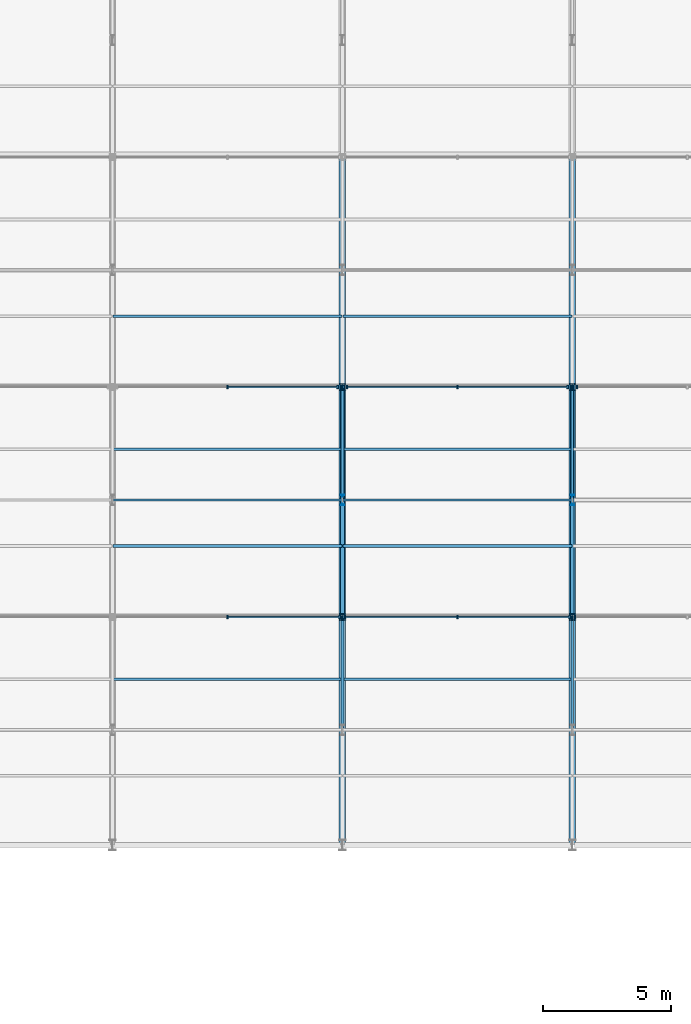
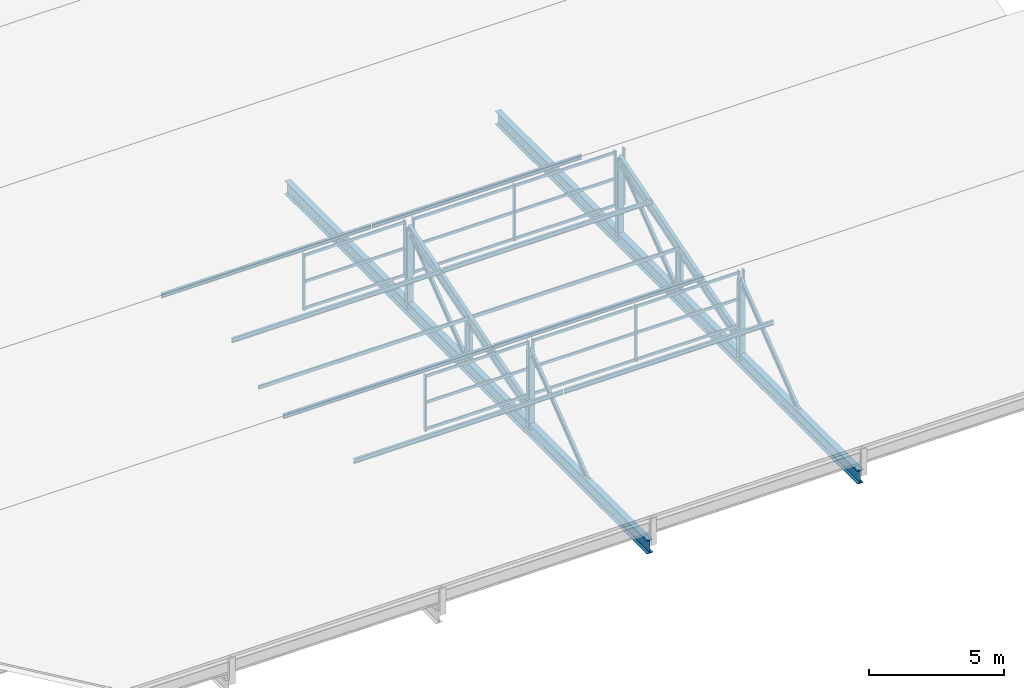
# One storey, part 68 of 163: 52 members, 2 beams, 6 elements without a shape of their own.
"""IFC4 building model written with IfcOpenShell, lengths in metres."""

from ifc_helpers import new_model, si_unit, direction, frame, origin, origin_2d, place, context, subcontext, project, spatial, rectangle, hollow_rectangle, i_section, extrude, material, material_profile, profile_set, type_object, element, aggregate, save


model = new_model("IFC4")

# Units and contexts
model_context = context("Model", 3, precision=1e-05, world=origin(), true_north=direction((0.0, 1.0)))
body_context = subcontext(model_context, "Body", "Model", "MODEL_VIEW")
ifc_project = project(units=[si_unit("LENGTHUNIT", "METRE"), si_unit("AREAUNIT", "SQUARE_METRE"), si_unit("VOLUMEUNIT", "CUBIC_METRE"), si_unit("PLANEANGLEUNIT", "RADIAN"), si_unit("MASSUNIT", "GRAM", prefix="KILO")], contexts=[model_context])

# Site, building, storey
site_placement = place(None, origin())
site = spatial("IfcSite", under=ifc_project, at=site_placement, CompositionType="ELEMENT")
building_placement = place(site_placement, origin())
building = spatial("IfcBuilding", under=site, at=building_placement, Name="Tharagai Park Tramway Depot", CompositionType="ELEMENT")
storey_placement = place(building_placement, frame((0.0, 0.0, 8.39990234375)))
storey = spatial("IfcBuildingStorey", under=building, at=storey_placement, Name="L02", CompositionType="ELEMENT", Elevation=8.39990234375)

# Beams
ifc_material_1 = material(Name="Steel E350", Category="steel")
ifc_material_profile_1 = material_profile(ifc_material_1, i_section(OverallWidth=0.25, OverallDepth=0.60009765625, WebThickness=0.01171875, FlangeThickness=0.023681640625, FilletRadius=0.01708984375, at=origin_2d()), Name="ISWB 600")
ifc_profile_set_1 = profile_set([ifc_material_profile_1], Name="Steel E350")
beam_type = type_object("IfcBeamType", Name="BM-01", PredefinedType="BEAM", material=ifc_profile_set_1)
for number, where, z_axis, x_axis, name in (
    (1, (117.0, 90.080078125, -0.25), (0.0, 1.0, 0.0), (-1.0, 0.0, 0.0), "Sawtooth Truss Bottom Tie Girder BM-01"),
    (2, (126.0, 90.080078125, -0.25), (0.0, 1.0, 0.0), (-1.0, 0.0, 0.0), "Sawtooth Truss Bottom Tie Girder BM-01"),
):
    element("IfcBeam", number, at=place(storey_placement, frame(where, z_axis=z_axis, x_axis=x_axis)), inside=storey, type_object=beam_type, Name=name, PredefinedType="BEAM", context=body_context, shape_type="SweptSolid", body=[
        extrude(i_section(OverallWidth=0.25, OverallDepth=0.60009765625, WebThickness=0.01171875, FlangeThickness=0.023681640625, FilletRadius=0.01708984375, at=origin_2d()), origin(), (0.0, 0.0, 1.0), 26.83984375),
    ])

# Members
ifc_material_profile_2 = material_profile(ifc_material_1, i_section(OverallWidth=0.25, OverallDepth=0.25, WebThickness=0.0087890625, FlangeThickness=0.009765625, FilletRadius=0.010009765625, at=origin_2d()), Name="ISHB 250")
ifc_profile_set_2 = profile_set([ifc_material_profile_2], Name="Steel E350")
member_type_1 = type_object("IfcMemberType", Name="BR-01", PredefinedType="BRACE", material=ifc_profile_set_2)
for number, where, z_axis, x_axis, name in (
    (3, (117.0, 98.919921875, -0.25), (0.0, 0.0, 1.0), (1.0, 0.0, 0.0), "Sawtooth North Vertical Post BR-01"),
    (4, (117.0, 107.919921875, -0.25), (0.0, 0.0, 1.0), (1.0, 0.0, 0.0), "Sawtooth North Vertical Post BR-01"),
    (5, (126.0, 98.919921875, -0.25), (0.0, 0.0, 1.0), (1.0, 0.0, 0.0), "Sawtooth North Vertical Post BR-01"),
    (6, (126.0, 107.919921875, -0.25), (0.0, 0.0, 1.0), (1.0, 0.0, 0.0), "Sawtooth North Vertical Post BR-01"),
):
    element("IfcMember", number, at=place(storey_placement, frame(where, z_axis=z_axis, x_axis=x_axis)), inside=storey, type_object=member_type_1, Name=name, PredefinedType="BRACE", context=body_context, shape_type="SweptSolid", body=[
        extrude(i_section(OverallWidth=0.25, OverallDepth=0.25, WebThickness=0.0087890625, FlangeThickness=0.009765625, FilletRadius=0.010009765625, at=origin_2d()), origin(), (0.0, 0.0, 1.0), 3.55517578125),
    ])
ifc_material_profile_3 = material_profile(ifc_material_1, i_section(OverallWidth=0.110107421875, OverallDepth=0.22509765625, WebThickness=0.006591796875, FlangeThickness=0.01171875, FilletRadius=0.011962890625, at=origin_2d()), Name="ISMB 225")
ifc_profile_set_3 = profile_set([ifc_material_profile_3], Name="Steel E350")
member_type_2 = type_object("IfcMemberType", Name="BR-04", PredefinedType="BRACE", material=ifc_profile_set_3)
for number, where, z_axis, x_axis, name in (
    (7, (117.0, 94.64990234375, 0.0), (0.0, 0.790781596, 0.612098413188), (-1.0, 0.0, 0.0), "Sawtooth Truss Web Diagonal BR-04"),
    (8, (117.0, 103.64990234375, 0.0), (0.0, 0.790781596, 0.612098413188), (-1.0, 0.0, 0.0), "Sawtooth Truss Web Diagonal BR-04"),
    (9, (126.0, 94.64990234375, 0.0), (0.0, 0.790781596, 0.612098413188), (-1.0, 0.0, 0.0), "Sawtooth Truss Web Diagonal BR-04"),
    (10, (126.0, 103.64990234375, 0.0), (0.0, 0.790781596, 0.612098413188), (-1.0, 0.0, 0.0), "Sawtooth Truss Web Diagonal BR-04"),
):
    element("IfcMember", number, at=place(storey_placement, frame(where, z_axis=z_axis, x_axis=x_axis)), inside=storey, type_object=member_type_2, Name=name, PredefinedType="BRACE", context=body_context, shape_type="SweptSolid", body=[
        extrude(i_section(OverallWidth=0.110107421875, OverallDepth=0.22509765625, WebThickness=0.006591796875, FlangeThickness=0.01171875, FilletRadius=0.011962890625, at=origin_2d()), origin(), (0.0, 0.0, 1.0), 5.399658203125),
    ])

# Curtain wall, members
ifc_material_2 = material(Name="Anodised aluminium", Category="aluminium")
curtain_wall_type_1 = type_object("IfcCurtainWallType", Name="CW-04", PredefinedType="NOTDEFINED", material=ifc_material_2)
curtain_wall_1_placement = place(storey_placement, origin())
curtain_wall_1 = element("IfcCurtainWall", 11, at=curtain_wall_1_placement, inside=storey, type_object=curtain_wall_type_1, Name="Sawtooth North-Light Clerestory CW-04", PredefinedType="NOTDEFINED")
ifc_material_profile_4 = material_profile(ifc_material_2, rectangle(XDim=0.06494140625, YDim=0.1201171875, at=origin_2d()), Name="ALU 65x120")
ifc_profile_set_4 = profile_set([ifc_material_profile_4], Name="Anodised aluminium")
member_type_3 = type_object("IfcMemberType", Name="CM-01", PredefinedType="USERDEFINED", material=ifc_profile_set_4)
member_1_placement = place(storey_placement, frame((112.514892578125, 98.919921875, 1.26513671875), z_axis=(1.0, 0.0, 0.0), x_axis=(0.0, 1.0, 0.0)))
member_1 = element("IfcMember", 12, at=member_1_placement, type_object=member_type_3, Name="Sawtooth North-Light Clerestory Transom 2.1", ObjectType="TRANSOM", PredefinedType="USERDEFINED", context=body_context, shape_type="SweptSolid", body=[
    extrude(rectangle(XDim=0.06494140625, YDim=0.1201171875, at=origin_2d()), origin(), (0.0, 0.0, 1.0), 4.3701171875),
])
member_2_placement = place(storey_placement, frame((112.514892578125, 98.919921875, 2.4736328125), z_axis=(1.0, 0.0, 0.0), x_axis=(0.0, 1.0, 0.0)))
member_2 = element("IfcMember", 13, at=member_2_placement, type_object=member_type_3, Name="Sawtooth North-Light Clerestory Transom 2.2", ObjectType="TRANSOM", PredefinedType="USERDEFINED", context=body_context, shape_type="SweptSolid", body=[
    extrude(rectangle(XDim=0.06494140625, YDim=0.1201171875, at=origin_2d()), origin(), (0.0, 0.0, 1.0), 4.3701171875),
])
member_3_placement = place(storey_placement, frame((112.514892578125, 98.919921875, 3.662353515625), z_axis=(1.0, 0.0, 0.0), x_axis=(0.0, 1.0, 0.0)))
member_3 = element("IfcMember", 14, at=member_3_placement, type_object=member_type_3, Name="Sawtooth North-Light Clerestory Transom 2.3", ObjectType="TRANSOM", PredefinedType="USERDEFINED", context=body_context, shape_type="SweptSolid", body=[
    extrude(rectangle(XDim=0.06494140625, YDim=0.1201171875, at=origin_2d()), origin(), (0.0, 0.0, 1.0), 4.3701171875),
])

curtain_wall_2_placement = place(storey_placement, origin())
curtain_wall_2 = element("IfcCurtainWall", 15, at=curtain_wall_2_placement, inside=storey, type_object=curtain_wall_type_1, Name="Sawtooth North-Light Clerestory CW-04", PredefinedType="NOTDEFINED")
member_4_placement = place(storey_placement, frame((117.114990234375, 98.919921875, 1.26513671875), z_axis=(1.0, 0.0, 0.0), x_axis=(0.0, 1.0, 0.0)))
member_4 = element("IfcMember", 16, at=member_4_placement, type_object=member_type_3, Name="Sawtooth North-Light Clerestory Transom 1.1", ObjectType="TRANSOM", PredefinedType="USERDEFINED", context=body_context, shape_type="SweptSolid", body=[
    extrude(rectangle(XDim=0.06494140625, YDim=0.1201171875, at=origin_2d()), origin(), (0.0, 0.0, 1.0), 4.3701171875),
])
member_5_placement = place(storey_placement, frame((117.114990234375, 98.919921875, 2.4736328125), z_axis=(1.0, 0.0, 0.0), x_axis=(0.0, 1.0, 0.0)))
member_5 = element("IfcMember", 17, at=member_5_placement, type_object=member_type_3, Name="Sawtooth North-Light Clerestory Transom 1.2", ObjectType="TRANSOM", PredefinedType="USERDEFINED", context=body_context, shape_type="SweptSolid", body=[
    extrude(rectangle(XDim=0.06494140625, YDim=0.1201171875, at=origin_2d()), origin(), (0.0, 0.0, 1.0), 4.3701171875),
])
member_6_placement = place(storey_placement, frame((117.114990234375, 98.919921875, 3.662353515625), z_axis=(1.0, 0.0, 0.0), x_axis=(0.0, 1.0, 0.0)))
member_6 = element("IfcMember", 18, at=member_6_placement, type_object=member_type_3, Name="Sawtooth North-Light Clerestory Transom 1.3", ObjectType="TRANSOM", PredefinedType="USERDEFINED", context=body_context, shape_type="SweptSolid", body=[
    extrude(rectangle(XDim=0.06494140625, YDim=0.1201171875, at=origin_2d()), origin(), (0.0, 0.0, 1.0), 4.3701171875),
])
member_7_placement = place(storey_placement, frame((121.514892578125, 98.919921875, 1.26513671875), z_axis=(1.0, 0.0, 0.0), x_axis=(0.0, 1.0, 0.0)))
member_7 = element("IfcMember", 19, at=member_7_placement, type_object=member_type_3, Name="Sawtooth North-Light Clerestory Transom 2.1", ObjectType="TRANSOM", PredefinedType="USERDEFINED", context=body_context, shape_type="SweptSolid", body=[
    extrude(rectangle(XDim=0.06494140625, YDim=0.1201171875, at=origin_2d()), origin(), (0.0, 0.0, 1.0), 4.3701171875),
])
member_8_placement = place(storey_placement, frame((121.514892578125, 98.919921875, 2.4736328125), z_axis=(1.0, 0.0, 0.0), x_axis=(0.0, 1.0, 0.0)))
member_8 = element("IfcMember", 20, at=member_8_placement, type_object=member_type_3, Name="Sawtooth North-Light Clerestory Transom 2.2", ObjectType="TRANSOM", PredefinedType="USERDEFINED", context=body_context, shape_type="SweptSolid", body=[
    extrude(rectangle(XDim=0.06494140625, YDim=0.1201171875, at=origin_2d()), origin(), (0.0, 0.0, 1.0), 4.3701171875),
])
member_9_placement = place(storey_placement, frame((121.514892578125, 98.919921875, 3.662353515625), z_axis=(1.0, 0.0, 0.0), x_axis=(0.0, 1.0, 0.0)))
member_9 = element("IfcMember", 21, at=member_9_placement, type_object=member_type_3, Name="Sawtooth North-Light Clerestory Transom 2.3", ObjectType="TRANSOM", PredefinedType="USERDEFINED", context=body_context, shape_type="SweptSolid", body=[
    extrude(rectangle(XDim=0.06494140625, YDim=0.1201171875, at=origin_2d()), origin(), (0.0, 0.0, 1.0), 4.3701171875),
])

curtain_wall_type_2 = type_object("IfcCurtainWallType", Name="CW-03", PredefinedType="NOTDEFINED", material=ifc_material_2)
curtain_wall_3_placement = place(storey_placement, origin())
curtain_wall_3 = element("IfcCurtainWall", 22, at=curtain_wall_3_placement, inside=storey, type_object=curtain_wall_type_2, Name="Sawtooth North-Light Clerestory CW-03", PredefinedType="NOTDEFINED")
member_10_placement = place(storey_placement, frame((112.514892578125, 107.919921875, 1.26513671875), z_axis=(1.0, 0.0, 0.0), x_axis=(0.0, 1.0, 0.0)))
member_10 = element("IfcMember", 23, at=member_10_placement, type_object=member_type_3, Name="Sawtooth North-Light Clerestory Transom 2.1", ObjectType="TRANSOM", PredefinedType="USERDEFINED", context=body_context, shape_type="SweptSolid", body=[
    extrude(rectangle(XDim=0.06494140625, YDim=0.1201171875, at=origin_2d()), origin(), (0.0, 0.0, 1.0), 4.2900390625),
])
member_11_placement = place(storey_placement, frame((112.514892578125, 107.919921875, 2.4736328125), z_axis=(1.0, 0.0, 0.0), x_axis=(0.0, 1.0, 0.0)))
member_11 = element("IfcMember", 24, at=member_11_placement, type_object=member_type_3, Name="Sawtooth North-Light Clerestory Transom 2.2", ObjectType="TRANSOM", PredefinedType="USERDEFINED", context=body_context, shape_type="SweptSolid", body=[
    extrude(rectangle(XDim=0.06494140625, YDim=0.1201171875, at=origin_2d()), origin(), (0.0, 0.0, 1.0), 4.2900390625),
])
member_12_placement = place(storey_placement, frame((112.514892578125, 107.919921875, 3.662353515625), z_axis=(1.0, 0.0, 0.0), x_axis=(0.0, 1.0, 0.0)))
member_12 = element("IfcMember", 25, at=member_12_placement, type_object=member_type_3, Name="Sawtooth North-Light Clerestory Transom 2.3", ObjectType="TRANSOM", PredefinedType="USERDEFINED", context=body_context, shape_type="SweptSolid", body=[
    extrude(rectangle(XDim=0.06494140625, YDim=0.1201171875, at=origin_2d()), origin(), (0.0, 0.0, 1.0), 4.2900390625),
])

curtain_wall_4_placement = place(storey_placement, origin())
curtain_wall_4 = element("IfcCurtainWall", 26, at=curtain_wall_4_placement, inside=storey, type_object=curtain_wall_type_2, Name="Sawtooth North-Light Clerestory CW-03", PredefinedType="NOTDEFINED")
member_13_placement = place(storey_placement, frame((117.195068359375, 107.919921875, 1.26513671875), z_axis=(1.0, 0.0, 0.0), x_axis=(0.0, 1.0, 0.0)))
member_13 = element("IfcMember", 27, at=member_13_placement, type_object=member_type_3, Name="Sawtooth North-Light Clerestory Transom 1.1", ObjectType="TRANSOM", PredefinedType="USERDEFINED", context=body_context, shape_type="SweptSolid", body=[
    extrude(rectangle(XDim=0.06494140625, YDim=0.1201171875, at=origin_2d()), origin(), (0.0, 0.0, 1.0), 4.2900390625),
])
member_14_placement = place(storey_placement, frame((117.195068359375, 107.919921875, 2.4736328125), z_axis=(1.0, 0.0, 0.0), x_axis=(0.0, 1.0, 0.0)))
member_14 = element("IfcMember", 28, at=member_14_placement, type_object=member_type_3, Name="Sawtooth North-Light Clerestory Transom 1.2", ObjectType="TRANSOM", PredefinedType="USERDEFINED", context=body_context, shape_type="SweptSolid", body=[
    extrude(rectangle(XDim=0.06494140625, YDim=0.1201171875, at=origin_2d()), origin(), (0.0, 0.0, 1.0), 4.2900390625),
])
member_15_placement = place(storey_placement, frame((117.195068359375, 107.919921875, 3.662353515625), z_axis=(1.0, 0.0, 0.0), x_axis=(0.0, 1.0, 0.0)))
member_15 = element("IfcMember", 29, at=member_15_placement, type_object=member_type_3, Name="Sawtooth North-Light Clerestory Transom 1.3", ObjectType="TRANSOM", PredefinedType="USERDEFINED", context=body_context, shape_type="SweptSolid", body=[
    extrude(rectangle(XDim=0.06494140625, YDim=0.1201171875, at=origin_2d()), origin(), (0.0, 0.0, 1.0), 4.2900390625),
])
member_16_placement = place(storey_placement, frame((121.514892578125, 107.919921875, 1.26513671875), z_axis=(1.0, 0.0, 0.0), x_axis=(0.0, 1.0, 0.0)))
member_16 = element("IfcMember", 30, at=member_16_placement, type_object=member_type_3, Name="Sawtooth North-Light Clerestory Transom 2.1", ObjectType="TRANSOM", PredefinedType="USERDEFINED", context=body_context, shape_type="SweptSolid", body=[
    extrude(rectangle(XDim=0.06494140625, YDim=0.1201171875, at=origin_2d()), origin(), (0.0, 0.0, 1.0), 4.2900390625),
])
member_17_placement = place(storey_placement, frame((121.514892578125, 107.919921875, 2.4736328125), z_axis=(1.0, 0.0, 0.0), x_axis=(0.0, 1.0, 0.0)))
member_17 = element("IfcMember", 31, at=member_17_placement, type_object=member_type_3, Name="Sawtooth North-Light Clerestory Transom 2.2", ObjectType="TRANSOM", PredefinedType="USERDEFINED", context=body_context, shape_type="SweptSolid", body=[
    extrude(rectangle(XDim=0.06494140625, YDim=0.1201171875, at=origin_2d()), origin(), (0.0, 0.0, 1.0), 4.2900390625),
])
member_18_placement = place(storey_placement, frame((121.514892578125, 107.919921875, 3.662353515625), z_axis=(1.0, 0.0, 0.0), x_axis=(0.0, 1.0, 0.0)))
member_18 = element("IfcMember", 32, at=member_18_placement, type_object=member_type_3, Name="Sawtooth North-Light Clerestory Transom 2.3", ObjectType="TRANSOM", PredefinedType="USERDEFINED", context=body_context, shape_type="SweptSolid", body=[
    extrude(rectangle(XDim=0.06494140625, YDim=0.1201171875, at=origin_2d()), origin(), (0.0, 0.0, 1.0), 4.2900390625),
])

# Member
ifc_material_profile_5 = material_profile(ifc_material_2, rectangle(XDim=0.06494140625, YDim=0.14990234375, at=origin_2d()), Name="ALU 65x150")
ifc_profile_set_5 = profile_set([ifc_material_profile_5], Name="Anodised aluminium")
member_type_4 = type_object("IfcMemberType", Name="CM-03", PredefinedType="MULLION", material=ifc_profile_set_5)
member_19_placement = place(storey_placement, frame((112.5, 98.919921875, 1.2001953125), z_axis=(0.0, 0.0, 1.0), x_axis=(1.0, 0.0, 0.0)))
member_19 = element("IfcMember", 33, at=member_19_placement, type_object=member_type_4, Name="Sawtooth North-Light Clerestory Mullion 2", PredefinedType="MULLION", context=body_context, shape_type="SweptSolid", body=[
    extrude(rectangle(XDim=0.06494140625, YDim=0.14990234375, at=origin_2d()), origin(), (0.0, 0.0, 1.0), 2.547119140625),
])

member_20_placement = place(storey_placement, frame((116.89990234375, 98.919921875, 1.2001953125), z_axis=(0.0, 0.0, 1.0), x_axis=(1.0, 0.0, 0.0)))
member_20 = element("IfcMember", 34, at=member_20_placement, type_object=member_type_4, Name="Sawtooth North-Light Clerestory Mullion 3", PredefinedType="MULLION", context=body_context, shape_type="SweptSolid", body=[
    extrude(rectangle(XDim=0.06494140625, YDim=0.14990234375, at=origin_2d()), origin(), (0.0, 0.0, 1.0), 2.547119140625),
])

aggregate(curtain_wall_1, [member_19, member_20, member_1, member_2, member_3])

member_21_placement = place(storey_placement, frame((117.10009765625, 98.919921875, 1.2001953125), z_axis=(0.0, 0.0, 1.0), x_axis=(1.0, 0.0, 0.0)))
member_21 = element("IfcMember", 35, at=member_21_placement, type_object=member_type_4, Name="Sawtooth North-Light Clerestory Mullion 1", PredefinedType="MULLION", context=body_context, shape_type="SweptSolid", body=[
    extrude(rectangle(XDim=0.06494140625, YDim=0.14990234375, at=origin_2d()), origin(), (0.0, 0.0, 1.0), 2.547119140625),
])

member_22_placement = place(storey_placement, frame((121.5, 98.919921875, 1.2001953125), z_axis=(0.0, 0.0, 1.0), x_axis=(1.0, 0.0, 0.0)))
member_22 = element("IfcMember", 36, at=member_22_placement, type_object=member_type_4, Name="Sawtooth North-Light Clerestory Mullion 2", PredefinedType="MULLION", context=body_context, shape_type="SweptSolid", body=[
    extrude(rectangle(XDim=0.06494140625, YDim=0.14990234375, at=origin_2d()), origin(), (0.0, 0.0, 1.0), 2.547119140625),
])

member_23_placement = place(storey_placement, frame((125.89990234375, 98.919921875, 1.2001953125), z_axis=(0.0, 0.0, 1.0), x_axis=(1.0, 0.0, 0.0)))
member_23 = element("IfcMember", 37, at=member_23_placement, type_object=member_type_4, Name="Sawtooth North-Light Clerestory Mullion 3", PredefinedType="MULLION", context=body_context, shape_type="SweptSolid", body=[
    extrude(rectangle(XDim=0.06494140625, YDim=0.14990234375, at=origin_2d()), origin(), (0.0, 0.0, 1.0), 2.547119140625),
])

aggregate(curtain_wall_2, [member_21, member_22, member_23, member_4, member_5, member_6, member_7, member_8, member_9])

# Curtain wall, member
curtain_wall_5_placement = place(storey_placement, origin())
curtain_wall_5 = element("IfcCurtainWall", 38, at=curtain_wall_5_placement, inside=storey, type_object=curtain_wall_type_1, Name="Sawtooth North-Light Clerestory CW-04", PredefinedType="NOTDEFINED")
member_24_placement = place(storey_placement, frame((126.10009765625, 98.919921875, 1.2001953125), z_axis=(0.0, 0.0, 1.0), x_axis=(1.0, 0.0, 0.0)))
member_24 = element("IfcMember", 39, at=member_24_placement, type_object=member_type_4, Name="Sawtooth North-Light Clerestory Mullion 1", PredefinedType="MULLION", context=body_context, shape_type="SweptSolid", body=[
    extrude(rectangle(XDim=0.06494140625, YDim=0.14990234375, at=origin_2d()), origin(), (0.0, 0.0, 1.0), 2.547119140625),
])
aggregate(curtain_wall_5, [member_24])

# Member
member_25_placement = place(storey_placement, frame((112.5, 107.919921875, 1.2001953125), z_axis=(0.0, 0.0, 1.0), x_axis=(1.0, 0.0, 0.0)))
member_25 = element("IfcMember", 40, at=member_25_placement, type_object=member_type_4, Name="Sawtooth North-Light Clerestory Mullion 2", PredefinedType="MULLION", context=body_context, shape_type="SweptSolid", body=[
    extrude(rectangle(XDim=0.06494140625, YDim=0.14990234375, at=origin_2d()), origin(), (0.0, 0.0, 1.0), 2.547119140625),
])

member_26_placement = place(storey_placement, frame((116.820068359375, 107.919921875, 1.2001953125), z_axis=(0.0, 0.0, 1.0), x_axis=(1.0, 0.0, 0.0)))
member_26 = element("IfcMember", 41, at=member_26_placement, type_object=member_type_4, Name="Sawtooth North-Light Clerestory Mullion 3", PredefinedType="MULLION", context=body_context, shape_type="SweptSolid", body=[
    extrude(rectangle(XDim=0.06494140625, YDim=0.14990234375, at=origin_2d()), origin(), (0.0, 0.0, 1.0), 2.547119140625),
])

aggregate(curtain_wall_3, [member_25, member_26, member_10, member_11, member_12])

member_27_placement = place(storey_placement, frame((117.179931640625, 107.919921875, 1.2001953125), z_axis=(0.0, 0.0, 1.0), x_axis=(1.0, 0.0, 0.0)))
member_27 = element("IfcMember", 42, at=member_27_placement, type_object=member_type_4, Name="Sawtooth North-Light Clerestory Mullion 1", PredefinedType="MULLION", context=body_context, shape_type="SweptSolid", body=[
    extrude(rectangle(XDim=0.06494140625, YDim=0.14990234375, at=origin_2d()), origin(), (0.0, 0.0, 1.0), 2.547119140625),
])

member_28_placement = place(storey_placement, frame((121.5, 107.919921875, 1.2001953125), z_axis=(0.0, 0.0, 1.0), x_axis=(1.0, 0.0, 0.0)))
member_28 = element("IfcMember", 43, at=member_28_placement, type_object=member_type_4, Name="Sawtooth North-Light Clerestory Mullion 2", PredefinedType="MULLION", context=body_context, shape_type="SweptSolid", body=[
    extrude(rectangle(XDim=0.06494140625, YDim=0.14990234375, at=origin_2d()), origin(), (0.0, 0.0, 1.0), 2.547119140625),
])

member_29_placement = place(storey_placement, frame((125.820068359375, 107.919921875, 1.2001953125), z_axis=(0.0, 0.0, 1.0), x_axis=(1.0, 0.0, 0.0)))
member_29 = element("IfcMember", 44, at=member_29_placement, type_object=member_type_4, Name="Sawtooth North-Light Clerestory Mullion 3", PredefinedType="MULLION", context=body_context, shape_type="SweptSolid", body=[
    extrude(rectangle(XDim=0.06494140625, YDim=0.14990234375, at=origin_2d()), origin(), (0.0, 0.0, 1.0), 2.547119140625),
])

aggregate(curtain_wall_4, [member_27, member_28, member_29, member_13, member_14, member_15, member_16, member_17, member_18])

# Curtain wall, member
curtain_wall_6_placement = place(storey_placement, origin())
curtain_wall_6 = element("IfcCurtainWall", 45, at=curtain_wall_6_placement, inside=storey, type_object=curtain_wall_type_2, Name="Sawtooth North-Light Clerestory CW-03", PredefinedType="NOTDEFINED")
member_30_placement = place(storey_placement, frame((126.179931640625, 107.919921875, 1.2001953125), z_axis=(0.0, 0.0, 1.0), x_axis=(1.0, 0.0, 0.0)))
member_30 = element("IfcMember", 46, at=member_30_placement, type_object=member_type_4, Name="Sawtooth North-Light Clerestory Mullion 1", PredefinedType="MULLION", context=body_context, shape_type="SweptSolid", body=[
    extrude(rectangle(XDim=0.06494140625, YDim=0.14990234375, at=origin_2d()), origin(), (0.0, 0.0, 1.0), 2.547119140625),
])
aggregate(curtain_wall_6, [member_30])

# Members
ifc_material_3 = material(Name="Steel E250", Category="steel")
ifc_material_profile_6 = material_profile(ifc_material_3, hollow_rectangle(XDim=0.080078125, YDim=0.159912109375, WallThickness=0.0048828125, InnerFilletRadius=0.0048828125, OuterFilletRadius=0.010009765625, at=origin_2d()), Name="RHS 160x80x5")
ifc_profile_set_6 = profile_set([ifc_material_profile_6], Name="Steel E250")
member_type_5 = type_object("IfcMemberType", Name="PR-02", PredefinedType="PURLIN", material=ifc_profile_set_6)
for number, where, z_axis, x_axis, name in (
    (47, (108.02001953125, 103.5, 1.946533203125), (1.0, 0.0, 0.0), (0.0, 1.0, 0.0), "Sawtooth Tubular Tie Strut PR-02"),
    (48, (117.02001953125, 103.5, 1.946533203125), (1.0, 0.0, 0.0), (0.0, 1.0, 0.0), "Sawtooth Tubular Tie Strut PR-02"),
):
    element("IfcMember", number, at=place(storey_placement, frame(where, z_axis=z_axis, x_axis=x_axis)), inside=storey, type_object=member_type_5, Name=name, PredefinedType="PURLIN", context=body_context, shape_type="SweptSolid", body=[
        extrude(hollow_rectangle(XDim=0.080078125, YDim=0.159912109375, WallThickness=0.0048828125, InnerFilletRadius=0.0048828125, OuterFilletRadius=0.010009765625, at=origin_2d()), origin(), (0.0, 0.0, 1.0), 8.9599609375),
    ])
ifc_material_profile_7 = material_profile(ifc_material_3, i_section(OverallWidth=0.10009765625, OverallDepth=0.199951171875, WebThickness=0.00537109375, FlangeThickness=0.00732421875, FilletRadius=0.009033203125, at=origin_2d()), Name="ISLB 200")
ifc_profile_set_7 = profile_set([ifc_material_profile_7], Name="Steel E250")
member_type_6 = type_object("IfcMemberType", Name="PR-03", PredefinedType="PURLIN", material=ifc_profile_set_7)
for number, where, z_axis, x_axis, name in (
    (49, (108.02001953125, 101.699951171875, 1.733154296875), (1.0, 0.0, 0.0), (0.0, 1.0, 0.0), "Sawtooth Roof Purlin PR-03"),
    (50, (108.02001953125, 105.47998046875, 2.87451171875), (1.0, 0.0, 0.0), (0.0, 1.0, 0.0), "Sawtooth Roof Purlin PR-03"),
    (51, (117.02001953125, 101.699951171875, 1.733154296875), (1.0, 0.0, 0.0), (0.0, 1.0, 0.0), "Sawtooth Roof Purlin PR-03"),
    (52, (117.02001953125, 105.47998046875, 2.87451171875), (1.0, 0.0, 0.0), (0.0, 1.0, 0.0), "Sawtooth Roof Purlin PR-03"),
):
    element("IfcMember", number, at=place(storey_placement, frame(where, z_axis=z_axis, x_axis=x_axis)), inside=storey, type_object=member_type_6, Name=name, PredefinedType="PURLIN", context=body_context, shape_type="SweptSolid", body=[
        extrude(i_section(OverallWidth=0.10009765625, OverallDepth=0.199951171875, WebThickness=0.00537109375, FlangeThickness=0.00732421875, FilletRadius=0.009033203125, at=origin_2d()), origin(), (0.0, 0.0, 1.0), 8.9599609375),
    ])
ifc_material_profile_8 = material_profile(ifc_material_3, i_section(OverallWidth=0.10009765625, OverallDepth=0.199951171875, WebThickness=0.005615234375, FlangeThickness=0.0107421875, FilletRadius=0.010986328125, at=origin_2d()), Name="ISMB 200")
ifc_profile_set_8 = profile_set([ifc_material_profile_8], Name="Steel E250")
member_type_7 = type_object("IfcMemberType", Name="PR-04", PredefinedType="PURLIN", material=ifc_profile_set_8)
for number, where, z_axis, x_axis, name in (
    (53, (108.02001953125, 96.47998046875, 2.87451171875), (1.0, 0.0, 0.0), (0.0, 1.0, 0.0), "Sawtooth Roof Purlin PR-04"),
    (54, (108.02001953125, 110.699951171875, 1.733154296875), (1.0, 0.0, 0.0), (0.0, 1.0, 0.0), "Sawtooth Roof Purlin PR-04"),
    (55, (117.02001953125, 96.47998046875, 2.87451171875), (1.0, 0.0, 0.0), (0.0, 1.0, 0.0), "Sawtooth Roof Purlin PR-04"),
    (56, (117.02001953125, 110.699951171875, 1.733154296875), (1.0, 0.0, 0.0), (0.0, 1.0, 0.0), "Sawtooth Roof Purlin PR-04"),
):
    element("IfcMember", number, at=place(storey_placement, frame(where, z_axis=z_axis, x_axis=x_axis)), inside=storey, type_object=member_type_7, Name=name, PredefinedType="PURLIN", context=body_context, shape_type="SweptSolid", body=[
        extrude(i_section(OverallWidth=0.10009765625, OverallDepth=0.199951171875, WebThickness=0.005615234375, FlangeThickness=0.0107421875, FilletRadius=0.010986328125, at=origin_2d()), origin(), (0.0, 0.0, 1.0), 8.9599609375),
    ])
ifc_material_profile_9 = material_profile(ifc_material_1, i_section(OverallWidth=0.14990234375, OverallDepth=0.449951171875, WebThickness=0.009521484375, FlangeThickness=0.017333984375, FilletRadius=0.014892578125, at=origin_2d()), Name="ISMB 450")
ifc_profile_set_9 = profile_set([ifc_material_profile_9], Name="Steel E350")
member_type_8 = type_object("IfcMemberType", Name="TC-05", PredefinedType="CHORD", material=ifc_profile_set_9)
for number, where, z_axis, x_axis, name in (
    (57, (117.0, 99.06005859375, 0.587890625), (0.0, 0.956231486327, 0.29261125159), (-1.0, 0.0, 0.0), "Sawtooth Top Chord TC-05"),
    (58, (126.0, 99.06005859375, 0.587890625), (0.0, 0.956231486327, 0.29261125159), (-1.0, 0.0, 0.0), "Sawtooth Top Chord TC-05"),
):
    element("IfcMember", number, at=place(storey_placement, frame(where, z_axis=z_axis, x_axis=x_axis)), inside=storey, type_object=member_type_8, Name=name, PredefinedType="CHORD", context=body_context, shape_type="SweptSolid", body=[
        extrude(i_section(OverallWidth=0.14990234375, OverallDepth=0.449951171875, WebThickness=0.009521484375, FlangeThickness=0.017333984375, FilletRadius=0.014892578125, at=origin_2d()), origin(), (0.0, 0.0, 1.0), 9.286376953125),
    ])
ifc_material_profile_10 = material_profile(ifc_material_1, i_section(OverallWidth=0.139892578125, OverallDepth=0.39990234375, WebThickness=0.0087890625, FlangeThickness=0.01611328125, FilletRadius=0.013916015625, at=origin_2d()), Name="ISMB 400")
ifc_profile_set_10 = profile_set([ifc_material_profile_10], Name="Steel E350")
member_type_9 = type_object("IfcMemberType", Name="TC-06", PredefinedType="CHORD", material=ifc_profile_set_10)
for number, where, z_axis, x_axis, name in (
    (59, (117.0, 103.5, -0.0498046875), (0.0, 0.0, 1.0), (1.0, 0.0, 0.0), "Sawtooth Mid-Tooth Strut TC-06"),
    (60, (126.0, 103.5, -0.0498046875), (0.0, 0.0, 1.0), (1.0, 0.0, 0.0), "Sawtooth Mid-Tooth Strut TC-06"),
):
    element("IfcMember", number, at=place(storey_placement, frame(where, z_axis=z_axis, x_axis=x_axis)), inside=storey, type_object=member_type_9, Name=name, PredefinedType="CHORD", context=body_context, shape_type="SweptSolid", body=[
        extrude(i_section(OverallWidth=0.139892578125, OverallDepth=0.39990234375, WebThickness=0.0087890625, FlangeThickness=0.01611328125, FilletRadius=0.013916015625, at=origin_2d()), origin(), (0.0, 0.0, 1.0), 1.846435546875),
    ])

save(model, "model.ifc")
